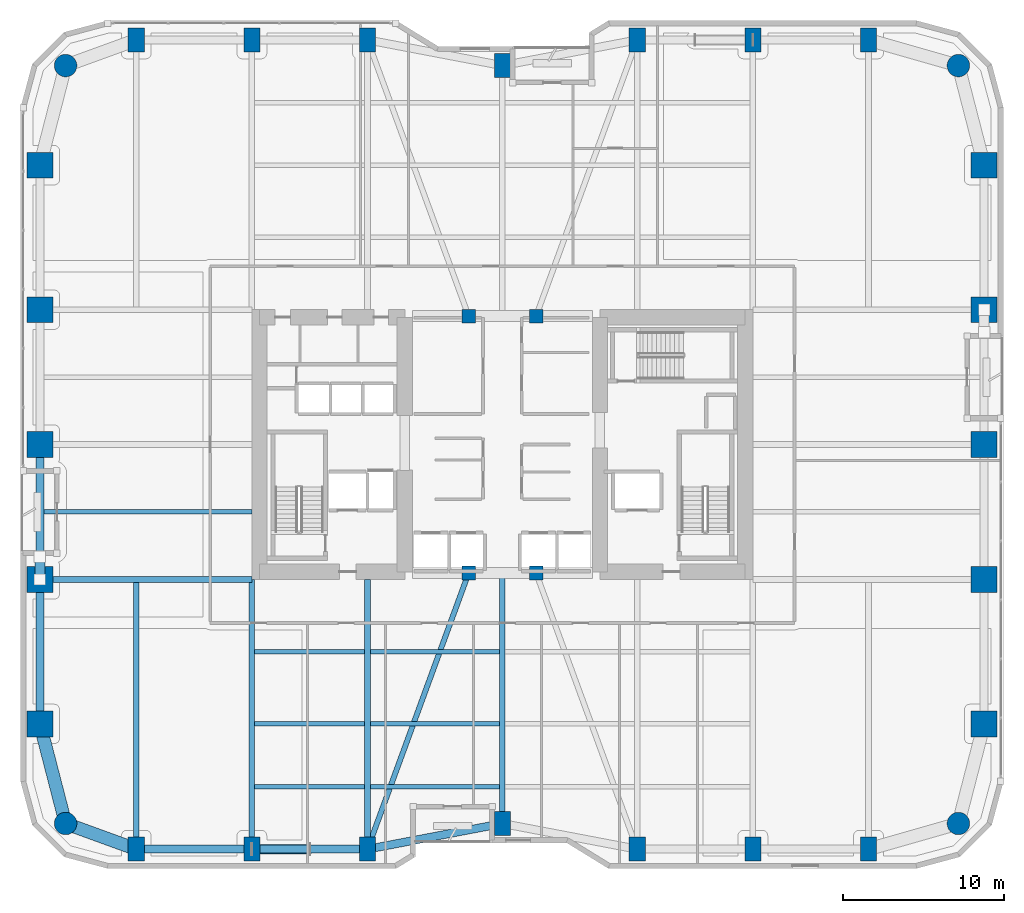
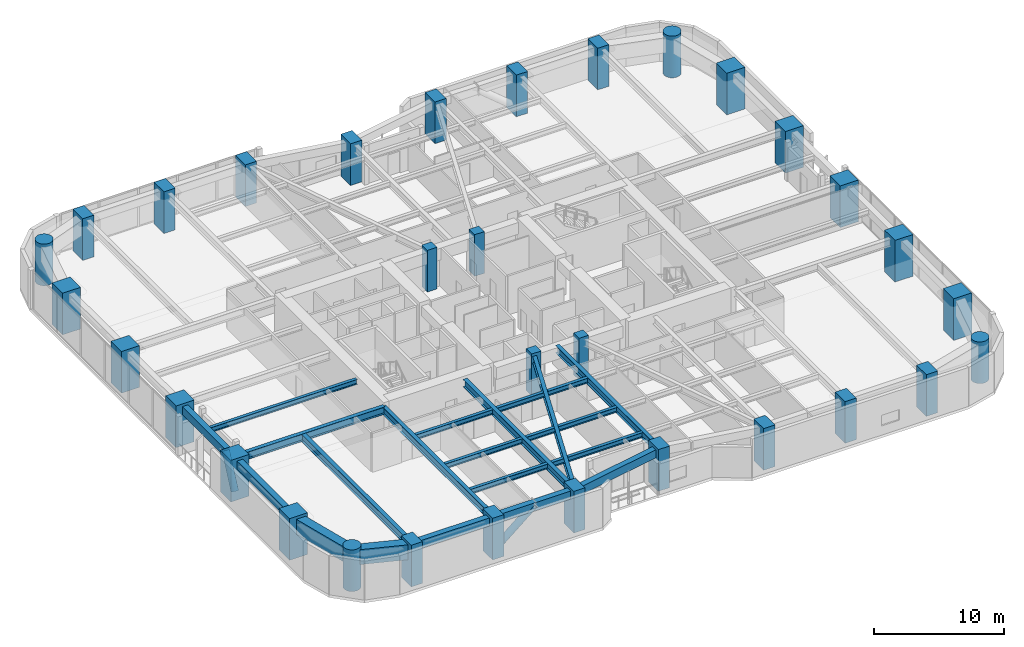
# One storey, part 1 of 29: 32 columns, 20 beams, 2 members.
"""IFC4 building model written with IfcOpenShell, lengths in metres."""

from ifc_helpers import new_model, si_unit, direction, frame, origin, origin_2d, place, context, subcontext, project, spatial, rectangle, circle, hollow_circle, i_section, extrude, material, material_profile, profile_set, type_object, element, save


model = new_model("IFC4")

# Units and contexts
model_context = context("Model", 3, precision=1e-05, world=origin(), true_north=direction((0.0, 1.0)))
body_context = subcontext(model_context, "Body", "Model", "MODEL_VIEW")
ifc_project = project(units=[si_unit("LENGTHUNIT", "METRE"), si_unit("AREAUNIT", "SQUARE_METRE"), si_unit("VOLUMEUNIT", "CUBIC_METRE"), si_unit("PLANEANGLEUNIT", "RADIAN"), si_unit("MASSUNIT", "GRAM", prefix="KILO")], contexts=[model_context])

# Site, building, storey
site_placement = place(None, origin())
site = spatial("IfcSite", under=ifc_project, at=site_placement, CompositionType="ELEMENT")
building_placement = place(site_placement, origin())
building = spatial("IfcBuilding", under=site, at=building_placement, Name="Kiyonajd Concourse Tower", CompositionType="ELEMENT")
storey_placement = place(building_placement, frame((0.0, 0.0, 45.0)))
storey = spatial("IfcBuildingStorey", under=building, at=storey_placement, Name="L12", CompositionType="ELEMENT", Elevation=45.0)

# Columns
ifc_material_1 = material(Name="Concrete C80/95", Category="concrete")
ifc_material_profile_1 = material_profile(ifc_material_1, rectangle(XDim=1.0, YDim=1.5, at=origin_2d()), Name="RC-1500x1000")
ifc_profile_set_1 = profile_set([ifc_material_profile_1], Name="Concrete C80/95")
column_type_1 = type_object("IfcColumnType", Name="CL-BLADE-1500", PredefinedType="COLUMN", material=ifc_profile_set_1)
for number, where, z_axis, x_axis, name in (
    (1, (25.199951171875, 10.800048828125, 0.0), (0.0, 0.0, 1.0), (1.0, 0.0, 0.0), "L12 Perimeter Bundled Tube Column"),
    (2, (25.199951171875, 61.199951171875, 0.0), (0.0, 0.0, 1.0), (1.0, 0.0, 0.0), "L12 Perimeter Bundled Tube Column"),
    (3, (32.39990234375, 10.800048828125, 0.0), (0.0, 0.0, 1.0), (1.0, 0.0, 0.0), "L12 Perimeter Bundled Tube Column"),
    (4, (32.39990234375, 61.199951171875, 0.0), (0.0, 0.0, 1.0), (1.0, 0.0, 0.0), "L12 Perimeter Bundled Tube Column"),
    (5, (39.60009765625, 10.800048828125, 0.0), (0.0, 0.0, 1.0), (1.0, 0.0, 0.0), "L12 Perimeter Bundled Tube Column"),
    (6, (39.60009765625, 61.199951171875, 0.0), (0.0, 0.0, 1.0), (1.0, 0.0, 0.0), "L12 Perimeter Bundled Tube Column"),
    (7, (48.0, 12.39990234375, 0.0), (0.0, 0.0, 1.0), (1.0, 0.0, 0.0), "L12 Perimeter Bundled Tube Column"),
    (8, (48.0, 59.60009765625, 0.0), (0.0, 0.0, 1.0), (1.0, 0.0, 0.0), "L12 Perimeter Bundled Tube Column"),
    (9, (56.39990234375, 10.800048828125, 0.0), (0.0, 0.0, 1.0), (1.0, 0.0, 0.0), "L12 Perimeter Bundled Tube Column"),
    (10, (56.39990234375, 61.199951171875, 0.0), (0.0, 0.0, 1.0), (1.0, 0.0, 0.0), "L12 Perimeter Bundled Tube Column"),
    (11, (63.60009765625, 10.800048828125, 0.0), (0.0, 0.0, 1.0), (1.0, 0.0, 0.0), "L12 Perimeter Bundled Tube Column"),
    (12, (63.60009765625, 61.199951171875, 0.0), (0.0, 0.0, 1.0), (1.0, 0.0, 0.0), "L12 Perimeter Bundled Tube Column"),
    (13, (70.800048828125, 10.800048828125, 0.0), (0.0, 0.0, 1.0), (1.0, 0.0, 0.0), "L12 Perimeter Bundled Tube Column"),
    (14, (70.800048828125, 61.199951171875, 0.0), (0.0, 0.0, 1.0), (1.0, 0.0, 0.0), "L12 Perimeter Bundled Tube Column"),
):
    element("IfcColumn", number, at=place(storey_placement, frame(where, z_axis=z_axis, x_axis=x_axis)), inside=storey, type_object=column_type_1, Name=name, PredefinedType="COLUMN", context=body_context, shape_type="SweptSolid", body=[
        extrude(rectangle(XDim=1.0, YDim=1.5, at=origin_2d()), origin(), (0.0, 0.0, 1.0), 3.89990234375),
    ])
ifc_material_profile_2 = material_profile(ifc_material_1, circle(Radius=0.699951171875, at=origin_2d()), Name="RCC-D1400")
ifc_profile_set_2 = profile_set([ifc_material_profile_2], Name="Concrete C80/95")
column_type_2 = type_object("IfcColumnType", Name="CL-RND-1400", PredefinedType="COLUMN", material=ifc_profile_set_2)
for number, where, z_axis, x_axis, name in (
    (15, (20.800048828125, 12.39990234375, 0.0), (0.0, 0.0, 1.0), (1.0, 0.0, 0.0), "L12 Bundled Tube Corner Column South West"),
    (16, (76.39990234375, 12.39990234375, 0.0), (0.0, 0.0, 1.0), (1.0, 0.0, 0.0), "L12 Bundled Tube Corner Column South East"),
    (17, (76.39990234375, 59.60009765625, 0.0), (0.0, 0.0, 1.0), (1.0, 0.0, 0.0), "L12 Bundled Tube Corner Column North East"),
    (18, (20.800048828125, 59.60009765625, 0.0), (0.0, 0.0, 1.0), (1.0, 0.0, 0.0), "L12 Bundled Tube Corner Column North West"),
):
    element("IfcColumn", number, at=place(storey_placement, frame(where, z_axis=z_axis, x_axis=x_axis)), inside=storey, type_object=column_type_2, Name=name, PredefinedType="COLUMN", context=body_context, shape_type="SweptSolid", body=[
        extrude(circle(Radius=0.699951171875, at=origin_2d()), origin(), (0.0, 0.0, 1.0), 3.89990234375),
    ])
ifc_material_profile_3 = material_profile(ifc_material_1, rectangle(XDim=1.60009765625, YDim=1.60009765625, at=origin_2d()), Name="RC-1600x1600")
ifc_profile_set_3 = profile_set([ifc_material_profile_3], Name="Concrete C80/95")
column_type_3 = type_object("IfcColumnType", Name="CL-TUBE-1600", PredefinedType="COLUMN", material=ifc_profile_set_3)
for number, where, z_axis, x_axis, name in (
    (19, (19.199951171875, 18.60009765625, 0.0), (0.0, 0.0, 1.0), (1.0, 0.0, 0.0), "L12 Perimeter Bundled Tube Column"),
    (20, (78.0, 18.60009765625, 0.0), (0.0, 0.0, 1.0), (1.0, 0.0, 0.0), "L12 Perimeter Bundled Tube Column"),
    (21, (19.199951171875, 27.60009765625, 0.0), (0.0, 0.0, 1.0), (1.0, 0.0, 0.0), "L12 Perimeter Bundled Tube Column"),
    (22, (78.0, 27.60009765625, 0.0), (0.0, 0.0, 1.0), (1.0, 0.0, 0.0), "L12 Perimeter Bundled Tube Column"),
    (23, (19.199951171875, 36.0, 0.0), (0.0, 0.0, 1.0), (1.0, 0.0, 0.0), "L12 Perimeter Bundled Tube Column"),
    (24, (78.0, 36.0, 0.0), (0.0, 0.0, 1.0), (1.0, 0.0, 0.0), "L12 Perimeter Bundled Tube Column"),
    (25, (19.199951171875, 44.39990234375, 0.0), (0.0, 0.0, 1.0), (1.0, 0.0, 0.0), "L12 Perimeter Bundled Tube Column"),
    (26, (78.0, 44.39990234375, 0.0), (0.0, 0.0, 1.0), (1.0, 0.0, 0.0), "L12 Perimeter Bundled Tube Column"),
    (27, (19.199951171875, 53.39990234375, 0.0), (0.0, 0.0, 1.0), (1.0, 0.0, 0.0), "L12 Perimeter Bundled Tube Column"),
    (28, (78.0, 53.39990234375, 0.0), (0.0, 0.0, 1.0), (1.0, 0.0, 0.0), "L12 Perimeter Bundled Tube Column"),
):
    element("IfcColumn", number, at=place(storey_placement, frame(where, z_axis=z_axis, x_axis=x_axis)), inside=storey, type_object=column_type_3, Name=name, PredefinedType="COLUMN", context=body_context, shape_type="SweptSolid", body=[
        extrude(rectangle(XDim=1.60009765625, YDim=1.60009765625, at=origin_2d()), origin(), (0.0, 0.0, 1.0), 3.89990234375),
    ])
ifc_material_2 = material(Name="Concrete C60/75", Category="concrete")
ifc_material_profile_4 = material_profile(ifc_material_2, rectangle(XDim=0.85009765625, YDim=0.85009765625, at=origin_2d()), Name="RC-850x850")
ifc_profile_set_4 = profile_set([ifc_material_profile_4], Name="Concrete C60/75")
column_type_4 = type_object("IfcColumnType", Name="CL-TUBE-850", PredefinedType="COLUMN", material=ifc_profile_set_4)
for number, where, z_axis, x_axis, name in (
    (29, (45.89990234375, 28.0, 0.0), (0.0, 0.0, 1.0), (1.0, 0.0, 0.0), "L12 Core Tie Column South West"),
    (30, (50.10009765625, 28.0, 0.0), (0.0, 0.0, 1.0), (1.0, 0.0, 0.0), "L12 Core Tie Column South East"),
    (31, (45.89990234375, 44.0, 0.0), (0.0, 0.0, 1.0), (1.0, 0.0, 0.0), "L12 Core Tie Column North West"),
    (32, (50.10009765625, 44.0, 0.0), (0.0, 0.0, 1.0), (1.0, 0.0, 0.0), "L12 Core Tie Column North East"),
):
    element("IfcColumn", number, at=place(storey_placement, frame(where, z_axis=z_axis, x_axis=x_axis)), inside=storey, type_object=column_type_4, Name=name, PredefinedType="COLUMN", context=body_context, shape_type="SweptSolid", body=[
        extrude(rectangle(XDim=0.85009765625, YDim=0.85009765625, at=origin_2d()), origin(), (0.0, 0.0, 1.0), 3.89990234375),
    ])

# Beams
ifc_material_3 = material(Name="Steel ASTM A992 Grade 50", Category="steel")
ifc_material_profile_5 = material_profile(ifc_material_3, i_section(OverallWidth=0.280029296875, OverallDepth=0.462890625, WebThickness=0.0107421875, FlangeThickness=0.017333984375, at=origin_2d()), Name="W460X113")
ifc_profile_set_5 = profile_set([ifc_material_profile_5], Name="Steel ASTM A992 Grade 50")
beam_type_1 = type_object("IfcBeamType", Name="BM-JST-460A", PredefinedType="JOIST", material=ifc_profile_set_5)
beam_1_placement = place(storey_placement, frame((32.577392578125, 14.699951171875, 3.408447265625), z_axis=(1.0, 0.0, 0.0), x_axis=(0.0, 1.0, 0.0)))
element("IfcBeam", 33, at=beam_1_placement, inside=storey, type_object=beam_type_1, Name="L12 Secondary Floor Joist", PredefinedType="JOIST", context=body_context, shape_type="SweptSolid", body=[
    extrude(i_section(OverallWidth=0.280029296875, OverallDepth=0.462890625, WebThickness=0.0107421875, FlangeThickness=0.017333984375, at=origin_2d()), origin(), (0.0, 0.0, 1.0), 6.84521484375),
])
beam_2_placement = place(storey_placement, frame((39.777587890625, 14.699951171875, 3.408447265625), z_axis=(1.0, 0.0, 0.0), x_axis=(0.0, 1.0, 0.0)))
element("IfcBeam", 34, at=beam_2_placement, inside=storey, type_object=beam_type_1, Name="L12 Secondary Floor Joist", PredefinedType="JOIST", context=body_context, shape_type="SweptSolid", body=[
    extrude(i_section(OverallWidth=0.280029296875, OverallDepth=0.462890625, WebThickness=0.0107421875, FlangeThickness=0.017333984375, at=origin_2d()), origin(), (0.0, 0.0, 1.0), 8.044921875),
])
beam_3_placement = place(storey_placement, frame((32.577392578125, 18.60009765625, 3.408447265625), z_axis=(1.0, 0.0, 0.0), x_axis=(0.0, 1.0, 0.0)))
element("IfcBeam", 35, at=beam_3_placement, inside=storey, type_object=beam_type_1, Name="L12 Secondary Floor Joist", PredefinedType="JOIST", context=body_context, shape_type="SweptSolid", body=[
    extrude(i_section(OverallWidth=0.280029296875, OverallDepth=0.462890625, WebThickness=0.0107421875, FlangeThickness=0.017333984375, at=origin_2d()), origin(), (0.0, 0.0, 1.0), 6.84521484375),
])
beam_4_placement = place(storey_placement, frame((39.777587890625, 18.60009765625, 3.408447265625), z_axis=(1.0, 0.0, 0.0), x_axis=(0.0, 1.0, 0.0)))
element("IfcBeam", 36, at=beam_4_placement, inside=storey, type_object=beam_type_1, Name="L12 Secondary Floor Joist", PredefinedType="JOIST", context=body_context, shape_type="SweptSolid", body=[
    extrude(i_section(OverallWidth=0.280029296875, OverallDepth=0.462890625, WebThickness=0.0107421875, FlangeThickness=0.017333984375, at=origin_2d()), origin(), (0.0, 0.0, 1.0), 8.044921875),
])
beam_5_placement = place(storey_placement, frame((32.577392578125, 23.10009765625, 3.408447265625), z_axis=(1.0, 0.0, 0.0), x_axis=(0.0, 1.0, 0.0)))
element("IfcBeam", 37, at=beam_5_placement, inside=storey, type_object=beam_type_1, Name="L12 Secondary Floor Joist", PredefinedType="JOIST", context=body_context, shape_type="SweptSolid", body=[
    extrude(i_section(OverallWidth=0.280029296875, OverallDepth=0.462890625, WebThickness=0.0107421875, FlangeThickness=0.017333984375, at=origin_2d()), origin(), (0.0, 0.0, 1.0), 6.84521484375),
])
beam_6_placement = place(storey_placement, frame((39.777587890625, 23.10009765625, 3.408447265625), z_axis=(1.0, 0.0, 0.0), x_axis=(0.0, 1.0, 0.0)))
element("IfcBeam", 38, at=beam_6_placement, inside=storey, type_object=beam_type_1, Name="L12 Secondary Floor Joist", PredefinedType="JOIST", context=body_context, shape_type="SweptSolid", body=[
    extrude(i_section(OverallWidth=0.280029296875, OverallDepth=0.462890625, WebThickness=0.0107421875, FlangeThickness=0.017333984375, at=origin_2d()), origin(), (0.0, 0.0, 1.0), 8.044921875),
])
beam_7_placement = place(storey_placement, frame((19.449951171875, 31.800048828125, 3.408447265625), z_axis=(1.0, 0.0, 0.0), x_axis=(0.0, 1.0, 0.0)))
element("IfcBeam", 39, at=beam_7_placement, inside=storey, type_object=beam_type_1, Name="L12 West Secondary Floor Joist", PredefinedType="JOIST", context=body_context, shape_type="SweptSolid", body=[
    extrude(i_section(OverallWidth=0.280029296875, OverallDepth=0.462890625, WebThickness=0.0107421875, FlangeThickness=0.017333984375, at=origin_2d()), origin(), (0.0, 0.0, 1.0), 12.949951171875),
])
ifc_material_4 = material(Name="Precast concrete C50/60", Category="concrete")
ifc_material_profile_6 = material_profile(ifc_material_4, rectangle(XDim=0.5, YDim=0.75, at=origin_2d()), Name="RCBM-500x750")
ifc_profile_set_6 = profile_set([ifc_material_profile_6], Name="Precast concrete C50/60")
beam_type_2 = type_object("IfcBeamType", Name="BM-SPAN-RC", PredefinedType="SPANDREL", material=ifc_profile_set_6)
beam_8_placement = place(storey_placement, frame((19.199951171875, 27.60009765625, 3.264892578125), z_axis=(0.0, -1.0, 0.0), x_axis=(1.0, 0.0, 0.0)))
element("IfcBeam", 40, at=beam_8_placement, inside=storey, type_object=beam_type_2, Name="L12 Perimeter Bundled Tube Spandrel", PredefinedType="SPANDREL", context=body_context, shape_type="SweptSolid", body=[
    extrude(rectangle(XDim=0.5, YDim=0.75, at=origin_2d()), origin(), (0.0, 0.0, 1.0), 9.0),
])
beam_9_placement = place(storey_placement, frame((25.199951171875, 10.800048828125, 3.264892578125), z_axis=(1.0, 0.0, 0.0), x_axis=(0.0, 1.0, 0.0)))
element("IfcBeam", 41, at=beam_9_placement, inside=storey, type_object=beam_type_2, Name="L12 Perimeter Bundled Tube Spandrel", PredefinedType="SPANDREL", context=body_context, shape_type="SweptSolid", body=[
    extrude(rectangle(XDim=0.5, YDim=0.75, at=origin_2d()), origin(), (0.0, 0.0, 1.0), 7.199951171875),
])
beam_10_placement = place(storey_placement, frame((32.39990234375, 10.800048828125, 3.264892578125), z_axis=(1.0, 0.0, 0.0), x_axis=(0.0, 1.0, 0.0)))
element("IfcBeam", 42, at=beam_10_placement, inside=storey, type_object=beam_type_2, Name="L12 Perimeter Bundled Tube Spandrel", PredefinedType="SPANDREL", context=body_context, shape_type="SweptSolid", body=[
    extrude(rectangle(XDim=0.5, YDim=0.75, at=origin_2d()), origin(), (0.0, 0.0, 1.0), 7.2001953125),
])
beam_11_placement = place(storey_placement, frame((39.60009765625, 10.800048828125, 3.264892578125), z_axis=(0.982341315253, 0.187097675953, 0.0), x_axis=(-0.187097675953, 0.982341315253, 0.0)))
element("IfcBeam", 43, at=beam_11_placement, inside=storey, type_object=beam_type_2, Name="L12 Perimeter Bundled Tube Spandrel", PredefinedType="SPANDREL", context=body_context, shape_type="SweptSolid", body=[
    extrude(rectangle(XDim=0.5, YDim=0.75, at=origin_2d()), origin(), (0.0, 0.0, 1.0), 8.55078125),
])
beam_12_placement = place(storey_placement, frame((19.199951171875, 36.0, 3.264892578125), z_axis=(0.0, -1.0, 0.0), x_axis=(1.0, 0.0, 0.0)))
element("IfcBeam", 44, at=beam_12_placement, inside=storey, type_object=beam_type_2, Name="L12 Perimeter Bundled Tube Spandrel", PredefinedType="SPANDREL", context=body_context, shape_type="SweptSolid", body=[
    extrude(rectangle(XDim=0.5, YDim=0.75, at=origin_2d()), origin(), (0.0, 0.0, 1.0), 8.39990234375),
])
ifc_material_profile_7 = material_profile(ifc_material_3, i_section(OverallWidth=0.326904296875, OverallDepth=0.6220703125, WebThickness=0.015380859375, FlangeThickness=0.0244140625, at=origin_2d()), Name="W610X195")
ifc_profile_set_7 = profile_set([ifc_material_profile_7], Name="Steel ASTM A992 Grade 50")
beam_type_3 = type_object("IfcBeamType", Name="BM-TWR-610A", PredefinedType="BEAM", material=ifc_profile_set_7)
beam_13_placement = place(storey_placement, frame((39.60009765625, 10.800048828125, 3.3291015625), z_axis=(0.343925269715, 0.938997022813, 0.0), x_axis=(-0.938997022813, 0.343925269715, 0.0)))
element("IfcBeam", 45, at=beam_13_placement, inside=storey, type_object=beam_type_3, Name="L12 Core Tie Girder", PredefinedType="BEAM", context=body_context, shape_type="SweptSolid", body=[
    extrude(i_section(OverallWidth=0.326904296875, OverallDepth=0.6220703125, WebThickness=0.015380859375, FlangeThickness=0.0244140625, at=origin_2d()), origin(), (0.0, 0.0, 1.0), 18.3173828125),
])
ifc_material_profile_8 = material_profile(ifc_material_3, i_section(OverallWidth=0.35498046875, OverallDepth=0.695068359375, WebThickness=0.015380859375, FlangeThickness=0.02490234375, at=origin_2d()), Name="W690X217")
ifc_profile_set_8 = profile_set([ifc_material_profile_8], Name="Steel ASTM A992 Grade 50")
beam_type_4 = type_object("IfcBeamType", Name="BM-TWR-690", PredefinedType="BEAM", material=ifc_profile_set_8)
for number, where, z_axis, x_axis, name in (
    (46, (25.199951171875, 10.800048828125, 3.29248046875), (0.0, 1.0, 0.0), (-1.0, 0.0, 0.0), "L12 South Lease Girder"),
    (47, (32.39990234375, 10.800048828125, 3.29248046875), (0.0, 1.0, 0.0), (-1.0, 0.0, 0.0), "L12 South Lease Girder"),
    (48, (39.60009765625, 10.800048828125, 3.29248046875), (0.0, 1.0, 0.0), (-1.0, 0.0, 0.0), "L12 South Lease Girder"),
):
    element("IfcBeam", number, at=place(storey_placement, frame(where, z_axis=z_axis, x_axis=x_axis)), inside=storey, type_object=beam_type_4, Name=name, PredefinedType="BEAM", context=body_context, shape_type="SweptSolid", body=[
        extrude(i_section(OverallWidth=0.35498046875, OverallDepth=0.695068359375, WebThickness=0.015380859375, FlangeThickness=0.02490234375, at=origin_2d()), origin(), (0.0, 0.0, 1.0), 16.800048828125),
    ])
beam_14_placement = place(storey_placement, frame((48.0, 12.39990234375, 3.29248046875), z_axis=(0.0, 1.0, 0.0), x_axis=(-1.0, 0.0, 0.0)))
element("IfcBeam", 49, at=beam_14_placement, inside=storey, type_object=beam_type_4, Name="L12 South Ribbon Girder", PredefinedType="BEAM", context=body_context, shape_type="SweptSolid", body=[
    extrude(i_section(OverallWidth=0.35498046875, OverallDepth=0.695068359375, WebThickness=0.015380859375, FlangeThickness=0.02490234375, at=origin_2d()), origin(), (0.0, 0.0, 1.0), 15.60009765625),
])
beam_15_placement = place(storey_placement, frame((19.199951171875, 27.60009765625, 3.29248046875), z_axis=(1.0, 0.0, 0.0), x_axis=(0.0, 1.0, 0.0)))
element("IfcBeam", 50, at=beam_15_placement, inside=storey, type_object=beam_type_4, Name="L12 West Lease Girder", PredefinedType="BEAM", context=body_context, shape_type="SweptSolid", body=[
    extrude(i_section(OverallWidth=0.35498046875, OverallDepth=0.695068359375, WebThickness=0.015380859375, FlangeThickness=0.02490234375, at=origin_2d()), origin(), (0.0, 0.0, 1.0), 13.199951171875),
])
ifc_material_profile_9 = material_profile(ifc_material_2, rectangle(XDim=0.800048828125, YDim=1.39990234375, at=origin_2d()), Name="RCBM-800x1400")
ifc_profile_set_9 = profile_set([ifc_material_profile_9], Name="Concrete C60/75")
beam_type_5 = type_object("IfcBeamType", Name="BM-XFER-RC", PredefinedType="BEAM", material=ifc_profile_set_9)
beam_16_placement = place(storey_placement, frame((19.199951171875, 18.60009765625, 2.93994140625), z_axis=(0.249884937687, -0.968275538221, 0.0), x_axis=(0.968275538221, 0.249884937687, 0.0)))
element("IfcBeam", 51, at=beam_16_placement, inside=storey, type_object=beam_type_5, Name="L12 Perimeter Bundled Tube Spandrel", PredefinedType="BEAM", context=body_context, shape_type="SweptSolid", body=[
    extrude(rectangle(XDim=0.800048828125, YDim=1.39990234375, at=origin_2d()), origin(), (0.0, 0.0, 1.0), 6.4033203125),
])
beam_17_placement = place(storey_placement, frame((20.800048828125, 12.39990234375, 2.93994140625), z_axis=(0.939801036019, -0.341722127901, 0.0), x_axis=(0.341722127901, 0.939801036019, 0.0)))
element("IfcBeam", 52, at=beam_17_placement, inside=storey, type_object=beam_type_5, Name="L12 Perimeter Bundled Tube Spandrel", PredefinedType="BEAM", context=body_context, shape_type="SweptSolid", body=[
    extrude(rectangle(XDim=0.800048828125, YDim=1.39990234375, at=origin_2d()), origin(), (0.0, 0.0, 1.0), 4.681640625),
])

# Members
ifc_material_5 = material(Name="Steel ASTM A572 Grade 50", Category="steel")
ifc_material_profile_10 = material_profile(ifc_material_5, hollow_circle(Radius=0.304931640625, WallThickness=0.02490234375, at=origin_2d()), Name="CHS-610x25")
ifc_profile_set_10 = profile_set([ifc_material_profile_10], Name="Steel ASTM A572 Grade 50")
member_type = type_object("IfcMemberType", Name="MB-PB-LOW", PredefinedType="BRACE", material=ifc_profile_set_10)
member_1_placement = place(storey_placement, frame((32.39990234375, 10.800048828125, 0.300048828125), z_axis=(0.769280705518, 0.0, 0.638910945373), x_axis=(0.0, 1.0, 0.0)))
element("IfcMember", 53, at=member_1_placement, inside=storey, type_object=member_type, Name="L12 Lower Zone Welded Tube Brace PBS", PredefinedType="BRACE", context=body_context, shape_type="SweptSolid", body=[
    extrude(hollow_circle(Radius=0.304931640625, WallThickness=0.02490234375, at=origin_2d()), origin(), (0.0, 0.0, 1.0), 4.679931640625),
])
member_2_placement = place(storey_placement, frame((19.199951171875, 27.60009765625, 0.300048828125), z_axis=(0.0, 0.424022702926, 0.905651559598), x_axis=(-1.0, 0.0, 0.0)))
element("IfcMember", 54, at=member_2_placement, inside=storey, type_object=member_type, Name="L12 Lower Zone Welded Tube Brace PBW", PredefinedType="BRACE", context=body_context, shape_type="SweptSolid", body=[
    extrude(hollow_circle(Radius=0.304931640625, WallThickness=0.02490234375, at=origin_2d()), origin(), (0.0, 0.0, 1.0), 3.301513671875),
])

save(model, "model.ifc")
